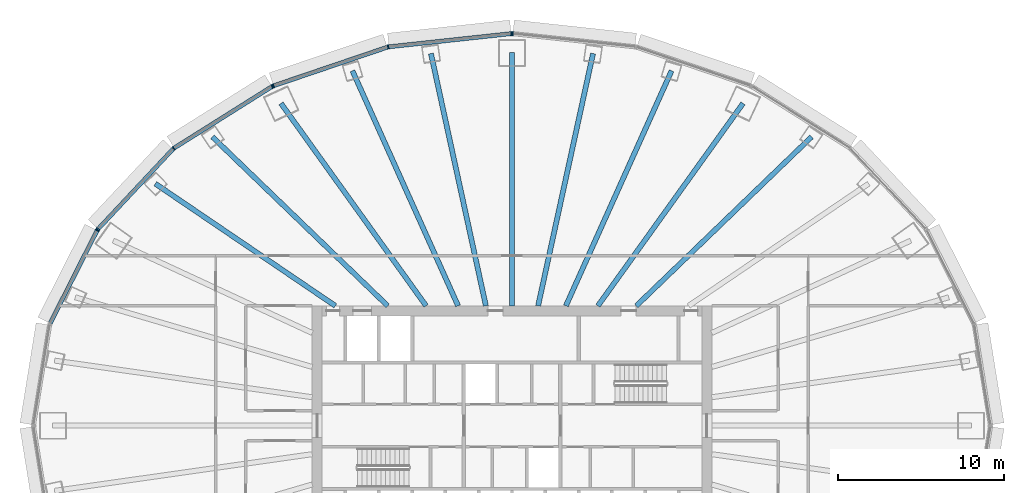
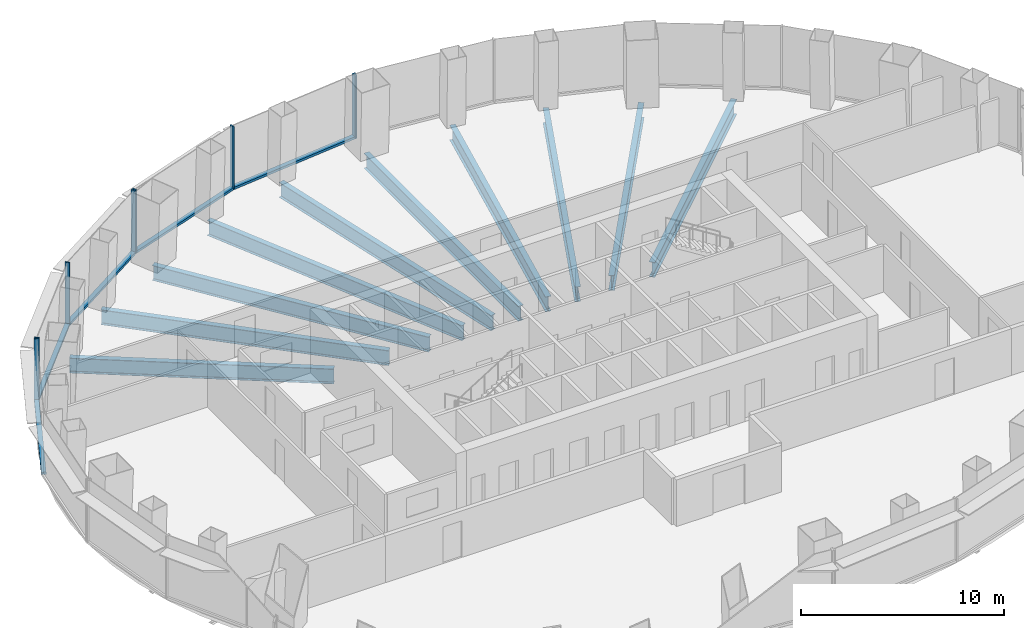
# One storey, part 4 of 13: 13 members, 10 beams, 4 elements without a shape of their own.
"""IFC4 building model written with IfcOpenShell, lengths in metres."""

from ifc_helpers import new_model, si_unit, direction, frame, origin, origin_2d, place, context, subcontext, project, spatial, rectangle, i_section, extrude, material, layer, layer_set, material_profile, profile_set, type_object, element, aggregate, save


model = new_model("IFC4")

# Units and contexts
model_context = context("Model", 3, precision=1e-05, world=origin(), true_north=direction((0.0, 1.0)))
body_context = subcontext(model_context, "Body", "Model", "MODEL_VIEW")
ifc_project = project(units=[si_unit("LENGTHUNIT", "METRE"), si_unit("AREAUNIT", "SQUARE_METRE"), si_unit("VOLUMEUNIT", "CUBIC_METRE"), si_unit("PLANEANGLEUNIT", "RADIAN"), si_unit("MASSUNIT", "GRAM", prefix="KILO")], contexts=[model_context])

# Site, building, storey
site_placement = place(None, origin())
site = spatial("IfcSite", under=ifc_project, at=site_placement, CompositionType="ELEMENT")
building_placement = place(site_placement, origin())
building = spatial("IfcBuilding", under=site, at=building_placement, Name="Siaravel Broadcast Tower", CompositionType="ELEMENT")
storey_placement = place(building_placement, frame((0.0, 0.0, 24.5)))
storey = spatial("IfcBuildingStorey", under=building, at=storey_placement, Name="L04", CompositionType="ELEMENT", Elevation=24.5)

# Beams
ifc_material_1 = material(Name="Steel S355", Category="steel")
ifc_material_profile_1 = material_profile(ifc_material_1, i_section(OverallWidth=0.30322265625, OverallDepth=0.903076171875, WebThickness=0.01513671875, FlangeThickness=0.020263671875, FilletRadius=0.01904296875, at=origin_2d()))
ifc_profile_set_1 = profile_set([ifc_material_profile_1], Name="Steel S355")
beam_type = type_object("IfcBeamType", Name="BM-UB 914x305x201", PredefinedType="BEAM", material=ifc_profile_set_1)
beam_1_placement = place(storey_placement, frame((17.9912109375, 17.345703125, -0.651611328125), z_axis=(-0.719899432, -0.694078387, 0.0), x_axis=(0.694078387, -0.719899432, 0.0)))
element("IfcBeam", 1, at=beam_1_placement, inside=storey, type_object=beam_type, Name="Radial beam RB06", PredefinedType="BEAM", context=body_context, shape_type="SweptSolid", body=[
    extrude(i_section(OverallWidth=0.30322265625, OverallDepth=0.903076171875, WebThickness=0.01513671875, FlangeThickness=0.020263671875, FilletRadius=0.01904296875, at=origin_2d()), origin(), (0.0, 0.0, 1.0), 14.61767578125),
])
beam_2_placement = place(storey_placement, frame((13.876953125, 19.360595703125, -0.651611328125), z_axis=(-0.582571046, -0.812779783, 0.0), x_axis=(0.812779783, -0.582571046, 0.0)))
element("IfcBeam", 2, at=beam_2_placement, inside=storey, type_object=beam_type, Name="Radial beam RB07", PredefinedType="BEAM", context=body_context, shape_type="SweptSolid", body=[
    extrude(i_section(OverallWidth=0.30322265625, OverallDepth=0.903076171875, WebThickness=0.01513671875, FlangeThickness=0.020263671875, FilletRadius=0.01904296875, at=origin_2d()), origin(), (0.0, 0.0, 1.0), 14.9619140625),
])
beam_3_placement = place(storey_placement, frame((9.58544921875, 21.31982421875, -0.651611328125), z_axis=(-0.410053186, -0.912061612, 0.0), x_axis=(0.912061612, -0.410053186, 0.0)))
element("IfcBeam", 3, at=beam_3_placement, inside=storey, type_object=beam_type, Name="Radial beam RB08", PredefinedType="BEAM", context=body_context, shape_type="SweptSolid", body=[
    extrude(i_section(OverallWidth=0.30322265625, OverallDepth=0.903076171875, WebThickness=0.01513671875, FlangeThickness=0.020263671875, FilletRadius=0.01904296875, at=origin_2d()), origin(), (0.0, 0.0, 1.0), 15.481201171875),
])
beam_4_placement = place(storey_placement, frame((4.868408203125, 22.35498046875, -0.651611328125), z_axis=(-0.212781863, -0.977099728, 0.0), x_axis=(0.977099728, -0.212781863, 0.0)))
element("IfcBeam", 4, at=beam_4_placement, inside=storey, type_object=beam_type, Name="Radial beam RB09", PredefinedType="BEAM", context=body_context, shape_type="SweptSolid", body=[
    extrude(i_section(OverallWidth=0.30322265625, OverallDepth=0.903076171875, WebThickness=0.01513671875, FlangeThickness=0.020263671875, FilletRadius=0.01904296875, at=origin_2d()), origin(), (0.0, 0.0, 1.0), 15.51025390625),
])
beam_5_placement = place(storey_placement, frame((0.0, 22.40380859375, -0.651611328125), z_axis=(0.0, -1.0, 0.0), x_axis=(1.0, 0.0, 0.0)))
element("IfcBeam", 5, at=beam_5_placement, inside=storey, type_object=beam_type, Name="Radial beam RB10", PredefinedType="BEAM", context=body_context, shape_type="SweptSolid", body=[
    extrude(i_section(OverallWidth=0.30322265625, OverallDepth=0.903076171875, WebThickness=0.01513671875, FlangeThickness=0.020263671875, FilletRadius=0.01904296875, at=origin_2d()), origin(), (0.0, 0.0, 1.0), 15.203857421875),
])
beam_6_placement = place(storey_placement, frame((-4.868408203125, 22.35498046875, -0.651611328125), z_axis=(0.212781863, -0.977099728, 0.0), x_axis=(0.977099728, 0.212781863, 0.0)))
element("IfcBeam", 6, at=beam_6_placement, inside=storey, type_object=beam_type, Name="Radial beam RB11", PredefinedType="BEAM", context=body_context, shape_type="SweptSolid", body=[
    extrude(i_section(OverallWidth=0.30322265625, OverallDepth=0.903076171875, WebThickness=0.01513671875, FlangeThickness=0.020263671875, FilletRadius=0.01904296875, at=origin_2d()), origin(), (0.0, 0.0, 1.0), 15.51025390625),
])
beam_7_placement = place(storey_placement, frame((-9.58544921875, 21.31982421875, -0.651611328125), z_axis=(0.410053186, -0.912061612, 0.0), x_axis=(0.912061612, 0.410053186, 0.0)))
element("IfcBeam", 7, at=beam_7_placement, inside=storey, type_object=beam_type, Name="Radial beam RB12", PredefinedType="BEAM", context=body_context, shape_type="SweptSolid", body=[
    extrude(i_section(OverallWidth=0.30322265625, OverallDepth=0.903076171875, WebThickness=0.01513671875, FlangeThickness=0.020263671875, FilletRadius=0.01904296875, at=origin_2d()), origin(), (0.0, 0.0, 1.0), 15.481201171875),
])
beam_8_placement = place(storey_placement, frame((-13.876953125, 19.360595703125, -0.651611328125), z_axis=(0.582571046, -0.812779783, 0.0), x_axis=(0.812779783, 0.582571046, 0.0)))
element("IfcBeam", 8, at=beam_8_placement, inside=storey, type_object=beam_type, Name="Radial beam RB13", PredefinedType="BEAM", context=body_context, shape_type="SweptSolid", body=[
    extrude(i_section(OverallWidth=0.30322265625, OverallDepth=0.903076171875, WebThickness=0.01513671875, FlangeThickness=0.020263671875, FilletRadius=0.01904296875, at=origin_2d()), origin(), (0.0, 0.0, 1.0), 14.9619140625),
])
beam_9_placement = place(storey_placement, frame((-17.9912109375, 17.345703125, -0.651611328125), z_axis=(0.719899432, -0.694078387, 0.0), x_axis=(0.694078387, 0.719899432, 0.0)))
element("IfcBeam", 9, at=beam_9_placement, inside=storey, type_object=beam_type, Name="Radial beam RB14", PredefinedType="BEAM", context=body_context, shape_type="SweptSolid", body=[
    extrude(i_section(OverallWidth=0.30322265625, OverallDepth=0.903076171875, WebThickness=0.01513671875, FlangeThickness=0.020263671875, FilletRadius=0.01904296875, at=origin_2d()), origin(), (0.0, 0.0, 1.0), 14.61767578125),
])
beam_10_placement = place(storey_placement, frame((-21.42236328125, 14.535400390625, -0.651611328125), z_axis=(0.82749748, -0.56146943, 0.0), x_axis=(0.56146943, 0.82749748, 0.0)))
element("IfcBeam", 10, at=beam_10_placement, inside=storey, type_object=beam_type, Name="Radial beam RB15", PredefinedType="BEAM", context=body_context, shape_type="SweptSolid", body=[
    extrude(i_section(OverallWidth=0.30322265625, OverallDepth=0.903076171875, WebThickness=0.01513671875, FlangeThickness=0.020263671875, FilletRadius=0.01904296875, at=origin_2d()), origin(), (0.0, 0.0, 1.0), 13.064697265625),
])

# Curtain wall, member
ifc_material_2 = material(Name="Aluminium 6063-T6", Category="aluminium")
ifc_layer = layer(ifc_material_2, 0.25)
ifc_layer_set = layer_set([ifc_layer], Name="Aluminium 6063-T6")
curtain_wall_type = type_object("IfcCurtainWallType", Name="Podium newsroom glazing", PredefinedType="NOTDEFINED", material=ifc_layer_set)
curtain_wall_1_placement = place(storey_placement, origin())
curtain_wall_1 = element("IfcCurtainWall", 11, at=curtain_wall_1_placement, inside=storey, type_object=curtain_wall_type, Name="L04 Podium newsroom glazing 03", PredefinedType="NOTDEFINED")
ifc_material_profile_2 = material_profile(ifc_material_2, rectangle(XDim=0.25, YDim=0.080078125, at=origin_2d()))
ifc_profile_set_2 = profile_set([ifc_material_profile_2], Name="Aluminium 6063-T6")
member_type_1 = type_object("IfcMemberType", Name="CW-PD mullion", PredefinedType="MULLION", material=ifc_profile_set_2)
member_1_placement = place(storey_placement, frame((0.039794921875, 23.5537109375, 0.0), z_axis=(0.0, 0.0, 1.0), x_axis=(-0.107217373, -0.994235603, 0.0)))
member_1 = element("IfcMember", 12, at=member_1_placement, type_object=member_type_1, Name="CW-PD mullion 3", PredefinedType="MULLION", context=body_context, shape_type="SweptSolid", body=[
    extrude(rectangle(XDim=0.25, YDim=0.080078125, at=origin_2d()), origin(), (0.0, 0.0, 1.0), 3.800048828125),
])
aggregate(curtain_wall_1, [member_1])

# Curtain wall, members
curtain_wall_2_placement = place(storey_placement, origin())
curtain_wall_2 = element("IfcCurtainWall", 13, at=curtain_wall_2_placement, inside=storey, type_object=curtain_wall_type, Name="L04 Podium newsroom glazing 04", PredefinedType="NOTDEFINED")
member_2_placement = place(storey_placement, frame((-0.039794921875, 23.5537109375, 0.0), z_axis=(0.0, 0.0, 1.0), x_axis=(0.107217373, -0.994235603, 0.0)))
member_2 = element("IfcMember", 14, at=member_2_placement, type_object=member_type_1, Name="CW-PD mullion 1", PredefinedType="MULLION", context=body_context, shape_type="SweptSolid", body=[
    extrude(rectangle(XDim=0.25, YDim=0.080078125, at=origin_2d()), origin(), (0.0, 0.0, 1.0), 3.800048828125),
])
member_3_placement = place(storey_placement, frame((-7.438720703125, 22.755859375, 0.0), z_axis=(0.0, 0.0, 1.0), x_axis=(0.215557821, -0.976491078, 0.0)))
member_3 = element("IfcMember", 15, at=member_3_placement, type_object=member_type_1, Name="CW-PD mullion 2", PredefinedType="MULLION", context=body_context, shape_type="SweptSolid", body=[
    extrude(rectangle(XDim=0.25, YDim=0.080078125, at=origin_2d()), origin(), (0.0, 0.0, 1.0), 3.800048828125),
])
member_4_placement = place(storey_placement, frame((-14.333251953125, 20.416748046875, 0.0), z_axis=(0.0, 0.0, 1.0), x_axis=(0.321300254, -0.946977374, 0.0)))
member_4 = element("IfcMember", 16, at=member_4_placement, type_object=member_type_1, Name="CW-PD mullion 3", PredefinedType="MULLION", context=body_context, shape_type="SweptSolid", body=[
    extrude(rectangle(XDim=0.25, YDim=0.080078125, at=origin_2d()), origin(), (0.0, 0.0, 1.0), 3.800048828125),
])

curtain_wall_3_placement = place(storey_placement, origin())
curtain_wall_3 = element("IfcCurtainWall", 17, at=curtain_wall_3_placement, inside=storey, type_object=curtain_wall_type, Name="L04 Podium newsroom glazing 05", PredefinedType="NOTDEFINED")
member_5_placement = place(storey_placement, frame((-14.405029296875, 20.382568359375, 0.0), z_axis=(0.0, 0.0, 1.0), x_axis=(0.532148584, -0.846650982, 0.0)))
member_5 = element("IfcMember", 18, at=member_5_placement, type_object=member_type_1, Name="CW-PD mullion 1", PredefinedType="MULLION", context=body_context, shape_type="SweptSolid", body=[
    extrude(rectangle(XDim=0.25, YDim=0.080078125, at=origin_2d()), origin(), (0.0, 0.0, 1.0), 3.800048828125),
])
member_6_placement = place(storey_placement, frame((-20.3251953125, 16.661376953125, 0.0), z_axis=(0.0, 0.0, 1.0), x_axis=(0.6362179, -0.771509419, 0.0)))
member_6 = element("IfcMember", 19, at=member_6_placement, type_object=member_type_1, Name="CW-PD mullion 2", PredefinedType="MULLION", context=body_context, shape_type="SweptSolid", body=[
    extrude(rectangle(XDim=0.25, YDim=0.080078125, at=origin_2d()), origin(), (0.0, 0.0, 1.0), 3.800048828125),
])
member_7_placement = place(storey_placement, frame((-24.867919921875, 11.81201171875, 0.0), z_axis=(0.0, 0.0, 1.0), x_axis=(0.729804459, -0.683655945, 0.0)))
member_7 = element("IfcMember", 20, at=member_7_placement, type_object=member_type_1, Name="CW-PD mullion 3", PredefinedType="MULLION", context=body_context, shape_type="SweptSolid", body=[
    extrude(rectangle(XDim=0.25, YDim=0.080078125, at=origin_2d()), origin(), (0.0, 0.0, 1.0), 3.800048828125),
])

# Curtain wall, member
curtain_wall_4_placement = place(storey_placement, origin())
curtain_wall_4 = element("IfcCurtainWall", 21, at=curtain_wall_4_placement, inside=storey, type_object=curtain_wall_type, Name="L04 Podium newsroom glazing 06", PredefinedType="NOTDEFINED")
member_8_placement = place(storey_placement, frame((-24.913330078125, 11.747314453125, 0.0), z_axis=(0.0, 0.0, 1.0), x_axis=(0.892391539, -0.451261943, 0.0)))
member_8 = element("IfcMember", 22, at=member_8_placement, type_object=member_type_1, Name="CW-PD mullion 1", PredefinedType="MULLION", context=body_context, shape_type="SweptSolid", body=[
    extrude(rectangle(XDim=0.25, YDim=0.080078125, at=origin_2d()), origin(), (0.0, 0.0, 1.0), 3.800048828125),
])

# Member
ifc_material_profile_3 = material_profile(ifc_material_2, rectangle(XDim=0.25, YDim=0.139892578125, at=origin_2d()))
ifc_profile_set_3 = profile_set([ifc_material_profile_3], Name="Aluminium 6063-T6")
member_type_2 = type_object("IfcMemberType", Name="CW-PD transom", PredefinedType="USERDEFINED", material=ifc_profile_set_3)
member_9_placement = place(storey_placement, frame((-0.07958984375, 23.549560546875, 0.070068359375), z_axis=(-0.99423565, -0.10721694, 0.0), x_axis=(0.10721694, -0.99423565, 0.0)))
member_9 = element("IfcMember", 23, at=member_9_placement, type_object=member_type_2, Name="CW-PD transom 1", ObjectType="TRANSOM", PredefinedType="USERDEFINED", context=body_context, shape_type="SweptSolid", body=[
    extrude(rectangle(XDim=0.25, YDim=0.139892578125, at=origin_2d()), origin(), (0.0, 0.0, 1.0), 7.36181640625),
])

member_10_placement = place(storey_placement, frame((-7.4765625, 22.7431640625, 0.070068359375), z_axis=(-0.946970963, -0.321319148, 0.0), x_axis=(0.321319148, -0.946970963, 0.0)))
member_10 = element("IfcMember", 24, at=member_10_placement, type_object=member_type_2, Name="CW-PD transom 2", ObjectType="TRANSOM", PredefinedType="USERDEFINED", context=body_context, shape_type="SweptSolid", body=[
    extrude(rectangle(XDim=0.25, YDim=0.139892578125, at=origin_2d()), origin(), (0.0, 0.0, 1.0), 7.20068359375),
])

aggregate(curtain_wall_2, [member_2, member_3, member_4, member_9, member_10])

member_11_placement = place(storey_placement, frame((-14.43896484375, 20.361083984375, 0.070068359375), z_axis=(-0.84665428, -0.532143336, 0.0), x_axis=(0.532143336, -0.84665428, 0.0)))
member_11 = element("IfcMember", 25, at=member_11_placement, type_object=member_type_2, Name="CW-PD transom 1", ObjectType="TRANSOM", PredefinedType="USERDEFINED", context=body_context, shape_type="SweptSolid", body=[
    extrude(rectangle(XDim=0.25, YDim=0.139892578125, at=origin_2d()), origin(), (0.0, 0.0, 1.0), 6.91259765625),
])

member_12_placement = place(storey_placement, frame((-20.3525390625, 16.632080078125, 0.070068359375), z_axis=(-0.683692437, -0.729770273, 0.0), x_axis=(0.729770273, -0.683692437, 0.0)))
member_12 = element("IfcMember", 26, at=member_12_placement, type_object=member_type_2, Name="CW-PD transom 2", ObjectType="TRANSOM", PredefinedType="USERDEFINED", context=body_context, shape_type="SweptSolid", body=[
    extrude(rectangle(XDim=0.25, YDim=0.139892578125, at=origin_2d()), origin(), (0.0, 0.0, 1.0), 6.564697265625),
])

aggregate(curtain_wall_3, [member_5, member_6, member_7, member_11, member_12])

member_13_placement = place(storey_placement, frame((-24.931396484375, 11.71142578125, 0.070068359375), z_axis=(-0.45128812, -0.892378301, 0.0), x_axis=(0.892378301, -0.45128812, 0.0)))
member_13 = element("IfcMember", 27, at=member_13_placement, type_object=member_type_2, Name="CW-PD transom 1", ObjectType="TRANSOM", PredefinedType="USERDEFINED", context=body_context, shape_type="SweptSolid", body=[
    extrude(rectangle(XDim=0.25, YDim=0.139892578125, at=origin_2d()), origin(), (0.0, 0.0, 1.0), 6.248291015625),
])

aggregate(curtain_wall_4, [member_8, member_13])

save(model, "model.ifc")
